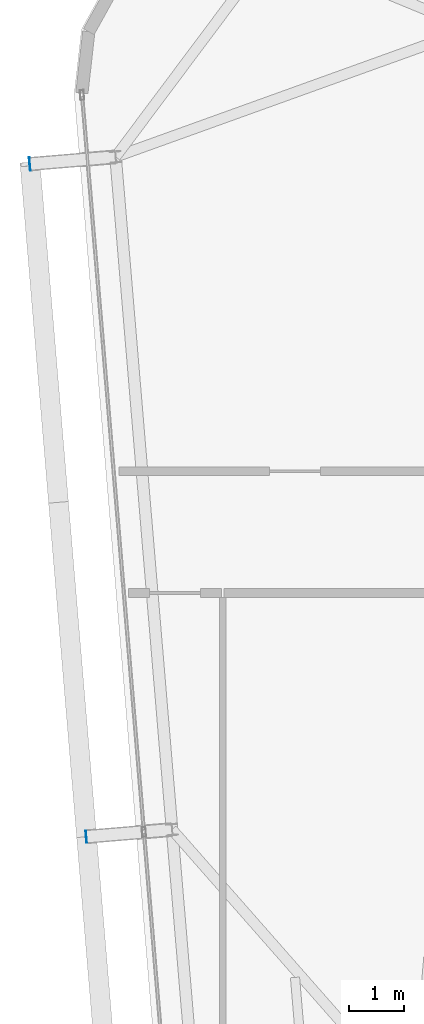
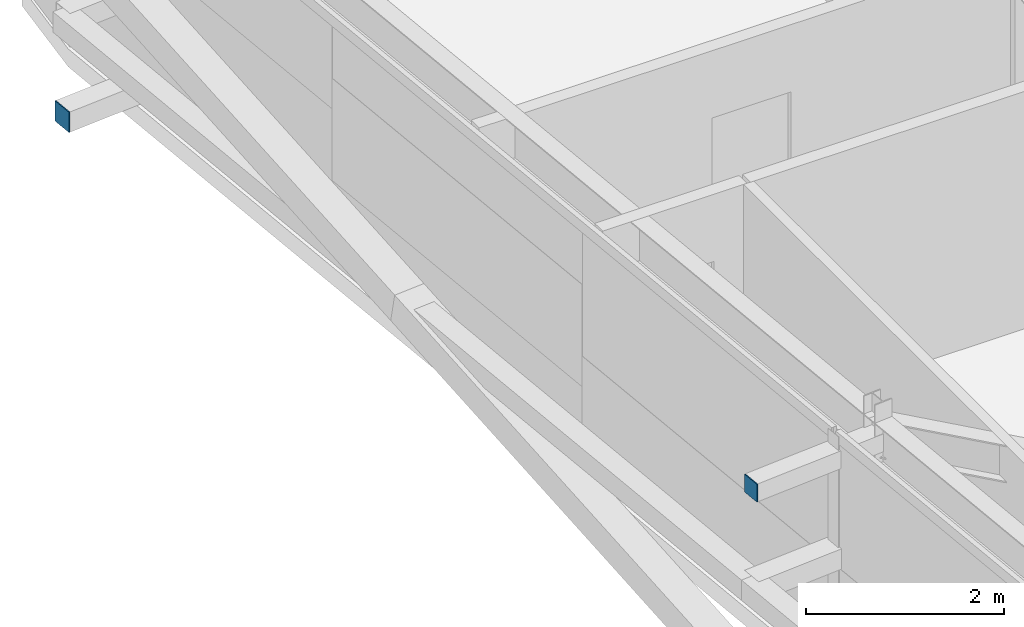
# One storey, part 29 of 39: 2 plates.
"""IFC4 building model written with IfcOpenShell, lengths in metres."""

from ifc_helpers import new_model, si_unit, direction, frame, origin, origin_2d, place, context, subcontext, project, spatial, rectangle, extrude, source, transform, mapped, material, layer, layer_set, type_object, element, save


model = new_model("IFC4")

# Units and contexts
model_context = context("Model", 3, precision=1e-05, world=origin(), true_north=direction((0.0, 1.0)))
body_context = subcontext(model_context, "Body", "Model", "MODEL_VIEW")
ifc_project = project(units=[si_unit("LENGTHUNIT", "METRE"), si_unit("AREAUNIT", "SQUARE_METRE"), si_unit("VOLUMEUNIT", "CUBIC_METRE"), si_unit("PLANEANGLEUNIT", "RADIAN"), si_unit("MASSUNIT", "GRAM", prefix="KILO")], contexts=[model_context])

# Site, building, storey
site_placement = place(None, origin())
site = spatial("IfcSite", under=ifc_project, at=site_placement, CompositionType="ELEMENT")
building_placement = place(site_placement, origin())
building = spatial("IfcBuilding", under=site, at=building_placement, Name="Taldren Reach Tower", CompositionType="ELEMENT")
storey_placement = place(building_placement, frame((0.0, 0.0, 175.699951171875)))
storey = spatial("IfcBuildingStorey", under=building, at=storey_placement, Name="L53", CompositionType="ELEMENT", Elevation=175.699951171875)

# Plates
ifc_material_1 = material(Name="Steel Gr 350 (C350L0)", Category="steel")
ifc_layer_1 = layer(ifc_material_1, 0.011962890625)
ifc_layer_set_1 = layer_set([ifc_layer_1], Name="Steel Gr 350 (C350L0)")
plate_type_1 = type_object("IfcPlateType", Name="PL-CAP-250", PredefinedType="SHEET", material=ifc_layer_set_1)
shared_shape_1 = source(origin(), body_context, "Body", "SweptSolid", [
    extrude(rectangle(XDim=0.011962890625, YDim=0.25, at=origin_2d()), origin(), (0.0, 0.0, 1.0), 0.25),
])
plate_1_placement = place(storey_placement, frame((11.011474609375, 29.55224609375, 0.094970703125), z_axis=(0.0, 0.0, 1.0), x_axis=(0.99649285925, 0.083677843332, 0.0)))
element("IfcPlate", 1, at=plate_1_placement, inside=storey, type_object=plate_type_1, Name="Tie strut end cap plate B4-W3 L53", PredefinedType="SHEET", context=body_context, shape_type="MappedRepresentation", body=[
    mapped(shared_shape_1, transform((0.0, 0.0, 0.0), scale=1.0)),
])
ifc_material_2 = material(Name="Steel Gr 450 (C450L0)", Category="steel")
ifc_layer_2 = layer(ifc_material_2, 0.011962890625)
ifc_layer_set_2 = layer_set([ifc_layer_2], Name="Steel Gr 450 (C450L0)")
plate_type_2 = type_object("IfcPlateType", Name="PL-CAP-220", PredefinedType="SHEET", material=ifc_layer_set_2)
shared_shape_2 = source(origin(), body_context, "Body", "SweptSolid", [
    extrude(rectangle(XDim=0.011962890625, YDim=0.219970703125, at=origin_2d()), origin(), (0.0, 0.0, 1.0), 0.219970703125),
])
plate_2_placement = place(storey_placement, frame((12.0322265625, 17.39501953125, 2.5400390625), z_axis=(0.0, 0.0, 1.0), x_axis=(0.99649285925, 0.083677843332, 0.0)))
element("IfcPlate", 2, at=plate_2_placement, inside=storey, type_object=plate_type_2, Name="Tie strut end cap plate B4-W2 L53", PredefinedType="SHEET", context=body_context, shape_type="MappedRepresentation", body=[
    mapped(shared_shape_2, transform((0.0, 0.0, 0.0), scale=1.0)),
])

save(model, "model.ifc")
